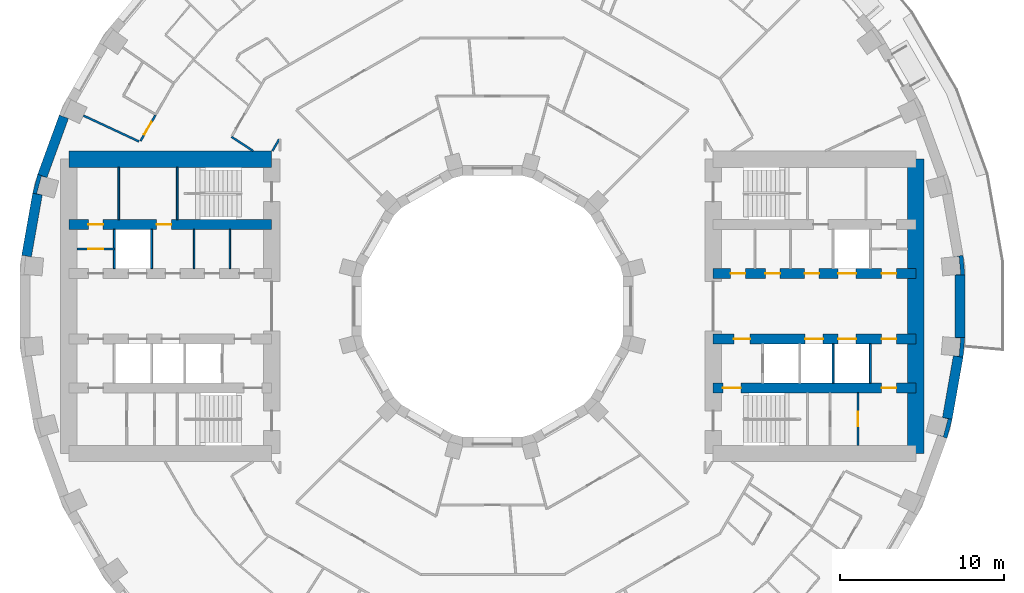
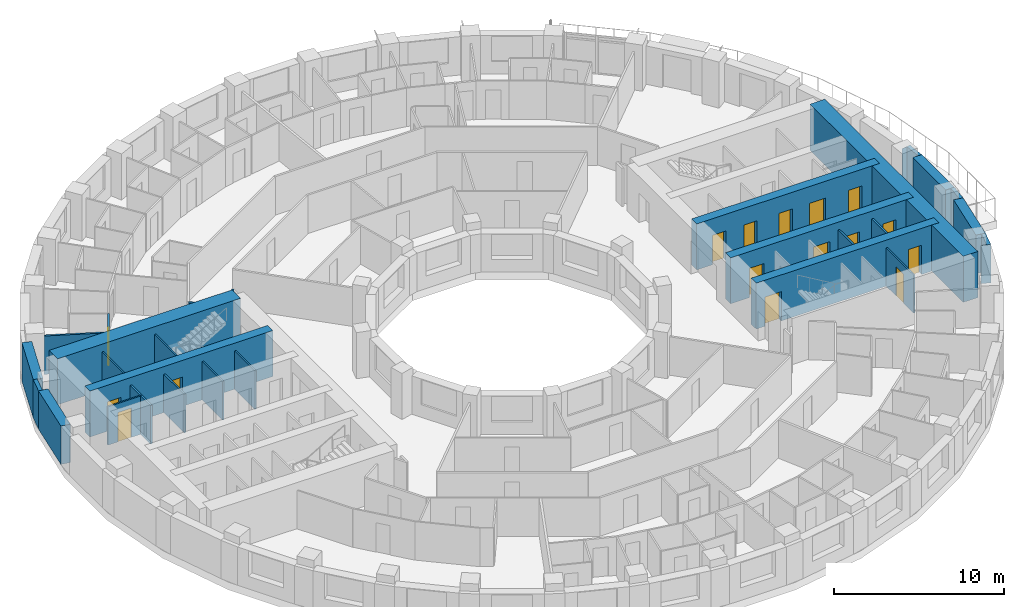
# One storey, part 9 of 15: 28 walls, 16 doors, 16 openings.
"""IFC4 building model written with IfcOpenShell, lengths in metres."""

from ifc_helpers import new_model, si_unit, direction, frame, frame_2d, origin, place, context, subcontext, project, spatial, polyline, rectangle, outline, extrude, material, layer, layer_set, type_object, element, fill, save


model = new_model("IFC4")

# Units and contexts
model_context = context("Model", 3, precision=1e-05, world=origin(), true_north=direction((0.0, 1.0)))
body_context = subcontext(model_context, "Body", "Model", "MODEL_VIEW")
ifc_project = project(units=[si_unit("LENGTHUNIT", "METRE"), si_unit("AREAUNIT", "SQUARE_METRE"), si_unit("VOLUMEUNIT", "CUBIC_METRE"), si_unit("PLANEANGLEUNIT", "RADIAN"), si_unit("MASSUNIT", "GRAM", prefix="KILO")], contexts=[model_context])

# Site, building, storey
site_placement = place(None, origin())
site = spatial("IfcSite", under=ifc_project, at=site_placement, CompositionType="ELEMENT")
building_placement = place(site_placement, origin())
building = spatial("IfcBuilding", under=site, at=building_placement, Name="Saqina Gate Tower", CompositionType="ELEMENT")
storey_placement = place(building_placement, frame((0.0, 0.0, 62.60009765625)))
storey = spatial("IfcBuildingStorey", under=building, at=storey_placement, Name="L17", CompositionType="ELEMENT", Elevation=62.60009765625)

# Walls
ifc_material_1 = material(Name="Brick masonry (red)", Category="masonry")
wall_type_1 = type_object("IfcWallType", Name="BRICK PIER COPING RED", PredefinedType="SOLIDWALL", material=ifc_material_1)
wall_1_placement = place(storey_placement, origin())
element("IfcWall", 1, at=wall_1_placement, inside=storey, type_object=wall_type_1, Name="Pier cap L17 column 1", PredefinedType="SOLIDWALL", context=body_context, shape_type="SweptSolid", body=[
    extrude(outline(polyline([(28.8896484375, 1.9228515625), (28.78466796875, 3.122802734375), (28.19384765625, 3.018798828125), (28.54296875, 3.04931640625), (28.638671875, 1.95361328125), (28.28955078125, 1.9228515625), (28.8896484375, 1.9228515625)])), origin(), (0.0, 0.0, 1.0), 2.75),
])
wall_2_placement = place(storey_placement, origin())
element("IfcWall", 2, at=wall_2_placement, inside=storey, type_object=wall_type_1, Name="Pier cap L17 column 17", PredefinedType="SOLIDWALL", context=body_context, shape_type="SweptSolid", body=[
    extrude(outline(polyline([(-28.11669921875, 6.910400390625), (-27.52587890625, 6.80615234375), (-27.864501953125, 6.896728515625), (-27.57958984375, 7.95947265625), (-27.2412109375, 7.86865234375), (-27.80517578125, 8.073974609375), (-28.11669921875, 6.910400390625)])), origin(), (0.0, 0.0, 1.0), 2.75),
])
wall_3_placement = place(storey_placement, origin())
element("IfcWall", 3, at=wall_3_placement, inside=storey, type_object=wall_type_1, Name="Pier cap L17 column 35", PredefinedType="SOLIDWALL", context=body_context, shape_type="SweptSolid", body=[
    extrude(outline(polyline([(28.11669921875, -6.910400390625), (27.52587890625, -6.80615234375), (27.864501953125, -6.896728515625), (27.57958984375, -7.95947265625), (27.2412109375, -7.86865234375), (27.80517578125, -8.073974609375), (28.11669921875, -6.910400390625)])), origin(), (0.0, 0.0, 1.0), 2.75),
])
wall_4_placement = place(storey_placement, origin())
element("IfcWall", 4, at=wall_4_placement, inside=storey, type_object=wall_type_1, Name="Pier cap L17 column 36", PredefinedType="SOLIDWALL", context=body_context, shape_type="SweptSolid", body=[
    extrude(outline(polyline([(28.78466796875, -3.122802734375), (28.8896484375, -1.9228515625), (28.28955078125, -1.9228515625), (28.638671875, -1.95361328125), (28.54296875, -3.04931640625), (28.19384765625, -3.018798828125), (28.78466796875, -3.122802734375)])), origin(), (0.0, 0.0, 1.0), 2.75),
])

# Wall, opening, door
ifc_material_2 = material(Name="Gypsum board on steel studs", Category="steel")
ifc_layer_1 = layer(ifc_material_2, 0.10009765625)
ifc_layer_set_1 = layer_set([ifc_layer_1], Name="CORE PARTITION")
wall_type_2 = type_object("IfcWallType", Name="CORE PARTITION", PredefinedType="PARTITIONING", material=ifc_layer_set_1)
wall_5_placement = place(storey_placement, frame((22.360107421875, -8.5, 0.0), z_axis=(0.0, 0.0, 1.0), x_axis=(0.0, 1.0, 0.0)))
wall_5 = element("IfcWall", 5, at=wall_5_placement, inside=storey, type_object=wall_type_2, Name="L17-CP-E14", PredefinedType="PARTITIONING", context=body_context, shape_type="SweptSolid", body=[
    extrude(rectangle(XDim=3.199951171875, YDim=0.10009765625, at=frame_2d((1.60009765625, 0.0))), origin(), (0.0, 0.0, 1.0), 2.75),
])
opening_1_placement = place(wall_5_placement, frame((1.14990234375, 0.0, 0.0)))
opening_1 = element("IfcOpeningElement", 6, at=opening_1_placement, cuts=wall_5, Name="Opening G04-D99", PredefinedType="OPENING", context=body_context, shape_type="SweptSolid", body=[
    extrude(rectangle(XDim=0.89990234375, YDim=2.10009765625, at=frame_2d((0.449951171875, 1.050048828125))), frame((0.0, 0.06201171875, 0.0), z_axis=(0.0, -1.0, 0.0), x_axis=(1.0, 0.0, 0.0)), (0.0, 0.0, 1.0), 0.1240234375),
])
ifc_material_3 = material(Name="Steel-framed fire door leaf, EI 60", Category="steel")
door_type_1 = type_object("IfcDoorType", Name="SERVICE ROOM DOOR 900", OperationType="SINGLE_SWING_LEFT", PredefinedType="DOOR", material=ifc_material_3)
door_1_placement = place(opening_1_placement, frame((0.89990234375, 0.0, 0.0), z_axis=(0.0, 0.0, 1.0), x_axis=(-1.0, 0.0, 0.0)))
door_1 = element("IfcDoor", 7, at=door_1_placement, inside=storey, type_object=door_type_1, Name="L17-CD-E10", OperationType="SINGLE_SWING_RIGHT", OverallHeight=2.10009765625, OverallWidth=0.89990234375, PredefinedType="DOOR", context=body_context, shape_type="SweptSolid", body=[
    extrude(rectangle(XDim=0.89990234375, YDim=2.10009765625, at=frame_2d((0.449951171875, 1.050048828125))), frame((0.0, 0.02490234375, 0.0), z_axis=(0.0, -1.0, 0.0), x_axis=(1.0, 0.0, 0.0)), (0.0, 0.0, 1.0), 0.050048828125),
])
fill(opening_1, door_1)

# Walls
for number, where, z_axis, x_axis, name in (
    (8, (-16.052001953125, 2.300048828125, 0.0), (0.0, 0.0, 1.0), (0.0, 1.0, 0.0), "L17-CP-W01"),
    (9, (-18.24072265625, 2.300048828125, 0.0), (0.0, 0.0, 1.0), (0.0, 1.0, 0.0), "L17-CP-W02"),
):
    element("IfcWall", number, at=place(storey_placement, frame(where, z_axis=z_axis, x_axis=x_axis)), inside=storey, type_object=wall_type_2, Name=name, PredefinedType="PARTITIONING", context=body_context, shape_type="SweptSolid", body=[
        extrude(rectangle(XDim=2.39990234375, YDim=0.10009765625, at=frame_2d((1.199951171875, 0.0))), origin(), (0.0, 0.0, 1.0), 2.75),
    ])

# Wall, opening, door
wall_6_placement = place(storey_placement, frame((-23.1201171875, 3.5, 0.0), z_axis=(0.0, 0.0, 1.0), x_axis=(-1.0, 0.0, 0.0)))
wall_6 = element("IfcWall", 10, at=wall_6_placement, inside=storey, type_object=wall_type_2, Name="L17-CP-W09", PredefinedType="PARTITIONING", context=body_context, shape_type="SweptSolid", body=[
    extrude(rectangle(XDim=2.27978515625, YDim=0.10009765625, at=frame_2d((1.139892578125, 0.0))), origin(), (0.0, 0.0, 1.0), 2.75),
])
opening_2_placement = place(wall_6_placement, frame((0.68994140625, 0.0, 0.0)))
opening_2 = element("IfcOpeningElement", 11, at=opening_2_placement, cuts=wall_6, Name="Opening G04-D112", PredefinedType="OPENING", context=body_context, shape_type="SweptSolid", body=[
    extrude(rectangle(XDim=0.89990234375, YDim=2.10009765625, at=frame_2d((0.449951171875, 1.050048828125))), frame((0.0, 0.06201171875, 0.0), z_axis=(0.0, -1.0, 0.0), x_axis=(1.0, 0.0, 0.0)), (0.0, 0.0, 1.0), 0.1240234375),
])
door_2_placement = place(opening_2_placement, frame((0.89990234375, 0.0, 0.0), z_axis=(0.0, 0.0, 1.0), x_axis=(-1.0, 0.0, 0.0)))
door_2 = element("IfcDoor", 12, at=door_2_placement, inside=storey, type_object=door_type_1, Name="L17-CD-W23", OperationType="SINGLE_SWING_LEFT", OverallHeight=2.10009765625, OverallWidth=0.89990234375, PredefinedType="DOOR", context=body_context, shape_type="SweptSolid", body=[
    extrude(rectangle(XDim=0.89990234375, YDim=2.10009765625, at=frame_2d((0.449951171875, 1.050048828125))), frame((0.0, 0.02490234375, 0.0), z_axis=(0.0, -1.0, 0.0), x_axis=(1.0, 0.0, 0.0)), (0.0, 0.0, 1.0), 0.050048828125),
])
fill(opening_2, door_2)

# Walls
wall_7_placement = place(storey_placement, frame((-22.846435546875, 5.300048828125, 0.0), z_axis=(0.0, 0.0, 1.0), x_axis=(0.0, 1.0, 0.0)))
element("IfcWall", 13, at=wall_7_placement, inside=storey, type_object=wall_type_2, Name="L17-CP-W11", PredefinedType="PARTITIONING", context=body_context, shape_type="SweptSolid", body=[
    extrude(rectangle(XDim=3.199951171875, YDim=0.10009765625, at=frame_2d((1.60009765625, 0.0))), origin(), (0.0, 0.0, 1.0), 2.75),
])
ifc_material_4 = material(Name="Glazed ceramic tile", Category="ceramic")
ifc_layer_2 = layer(ifc_material_4, 0.60009765625)
ifc_layer_set_2 = layer_set([ifc_layer_2], Name="FW-TILE")
wall_type_3 = type_object("IfcWallType", Name="FW-TILE", PredefinedType="SOLIDWALL", material=ifc_layer_set_2)
wall_8_placement = place(storey_placement, frame((-26.207763671875, 11.585205078125, 0.0), z_axis=(0.0, 0.0, 1.0), x_axis=(-0.342028474173, -0.939689588564, 0.0)))
element("IfcWall", 14, at=wall_8_placement, inside=storey, type_object=wall_type_3, Name="Facade wall L17 facet 16", PredefinedType="SOLIDWALL", context=body_context, shape_type="SweptSolid", body=[
    extrude(rectangle(XDim=3.845947265625, YDim=0.60009765625, at=frame_2d((1.9228515625, 0.0))), origin(), (0.0, 0.0, 1.0), 2.75),
])
wall_9_placement = place(storey_placement, frame((28.589599609375, -1.9228515625, 0.0), z_axis=(0.0, 0.0, 1.0), x_axis=(0.0, 1.0, 0.0)))
element("IfcWall", 15, at=wall_9_placement, inside=storey, type_object=wall_type_3, Name="Facade wall L17 facet 36", PredefinedType="SOLIDWALL", context=body_context, shape_type="SweptSolid", body=[
    extrude(rectangle(XDim=3.845703125, YDim=0.60009765625, at=frame_2d((1.9228515625, 0.0))), origin(), (0.0, 0.0, 1.0), 2.75),
])
ifc_material_5 = material(Name="Glazed ceramic tile (dark blue)", Category="ceramic")
ifc_layer_3 = layer(ifc_material_5, 0.60009765625)
ifc_layer_set_3 = layer_set([ifc_layer_3], Name="FW-TILE-CB")
wall_type_4 = type_object("IfcWallType", Name="FW-TILE-CB", PredefinedType="SOLIDWALL", material=ifc_layer_set_3)
wall_10_placement = place(storey_placement, frame((-27.8212890625, 6.858154296875, 0.0), z_axis=(0.0, 0.0, 1.0), x_axis=(-0.173687553279, -0.984800809218, 0.0)))
element("IfcWall", 16, at=wall_10_placement, inside=storey, type_object=wall_type_4, Name="Facade wall L17 facet 17", PredefinedType="SOLIDWALL", context=body_context, shape_type="SweptSolid", body=[
    extrude(rectangle(XDim=3.845703125, YDim=0.60009765625, at=frame_2d((1.9228515625, 0.0))), origin(), (0.0, 0.0, 1.0), 2.75),
])
ifc_material_6 = material(Name="Glazed ceramic tile (white)", Category="ceramic")
ifc_layer_4 = layer(ifc_material_6, 0.60009765625)
ifc_layer_set_4 = layer_set([ifc_layer_4], Name="FW-TILE-WH")
wall_type_5 = type_object("IfcWallType", Name="FW-TILE-WH", PredefinedType="SOLIDWALL", material=ifc_layer_set_4)
wall_11_placement = place(storey_placement, frame((27.8212890625, -6.858154296875, 0.0), z_axis=(0.0, 0.0, 1.0), x_axis=(0.173687553279, 0.984800809218, 0.0)))
element("IfcWall", 17, at=wall_11_placement, inside=storey, type_object=wall_type_5, Name="Facade wall L17 facet 35", PredefinedType="SOLIDWALL", context=body_context, shape_type="SweptSolid", body=[
    extrude(rectangle(XDim=3.845703125, YDim=0.60009765625, at=frame_2d((1.9228515625, 0.0))), origin(), (0.0, 0.0, 1.0), 2.75),
])
ifc_material_7 = material(Name="Gypsum board on steel studs, 125 mm, fire rated", Category="steel")
ifc_layer_5 = layer(ifc_material_7, 0.125)
ifc_layer_set_5 = layer_set([ifc_layer_5], Name="PARTITION EI 30 125")
wall_type_6 = type_object("IfcWallType", Name="PARTITION EI 30 125", PredefinedType="PARTITIONING", material=ifc_layer_set_5)
wall_12_placement = place(storey_placement, frame((-15.95703125, 10.362060546875, 0.0), z_axis=(0.0, 0.0, 1.0), x_axis=(0.838795721465, -0.544446267002, 0.0)))
element("IfcWall", 18, at=wall_12_placement, inside=storey, type_object=wall_type_6, Name="PARTITION PW1-08", PredefinedType="PARTITIONING", context=body_context, shape_type="SweptSolid", body=[
    extrude(rectangle(XDim=1.583251953125, YDim=0.125, at=frame_2d((0.79150390625, 0.0))), origin(), (0.0, 0.0, 1.0), 2.75),
])
wall_13_placement = place(storey_placement, frame((-25.005126953125, 11.659912109375, 0.0), z_axis=(0.0, 0.0, 1.0), x_axis=(0.906339528383, -0.42255018553, 0.0)))
element("IfcWall", 19, at=wall_13_placement, inside=storey, type_object=wall_type_6, Name="PARTITION PW1-15", PredefinedType="PARTITIONING", context=body_context, shape_type="SweptSolid", body=[
    extrude(rectangle(XDim=3.74755859375, YDim=0.125, at=frame_2d((1.873779296875, 0.0))), origin(), (0.0, 0.0, 1.0), 2.75),
])
wall_14_placement = place(storey_placement, frame((-13.451904296875, 9.5, 0.0), z_axis=(0.0, 0.0, 1.0), x_axis=(0.49991670217, 0.866073490468, 0.0)))
element("IfcWall", 20, at=wall_14_placement, inside=storey, type_object=wall_type_6, Name="PARTITION PW1-49", PredefinedType="PARTITIONING", context=body_context, shape_type="SweptSolid", body=[
    extrude(rectangle(XDim=0.834228515625, YDim=0.125, at=frame_2d((0.4169921875, 0.0))), origin(), (0.0, 0.0, 1.0), 2.75),
])

# Wall, opening, door
wall_15_placement = place(storey_placement, frame((-21.520751953125, 10.10400390625, 0.0), z_axis=(0.0, 0.0, 1.0), x_axis=(0.500003827654, 0.866023193876, 0.0)))
wall_15 = element("IfcWall", 21, at=wall_15_placement, inside=storey, type_object=wall_type_6, Name="PARTITION PW1-51", PredefinedType="PARTITIONING", context=body_context, shape_type="SweptSolid", body=[
    extrude(rectangle(XDim=1.82763671875, YDim=0.125, at=frame_2d((0.913818359375, 0.0))), origin(), (0.0, 0.0, 1.0), 2.75),
])
opening_3_placement = place(wall_15_placement, frame((0.45849609375, 0.0, 0.0)))
opening_3 = element("IfcOpeningElement", 22, at=opening_3_placement, cuts=wall_15, Name="Opening G04-D36", PredefinedType="OPENING", context=body_context, shape_type="SweptSolid", body=[
    extrude(rectangle(XDim=0.89990234375, YDim=2.10009765625, at=frame_2d((0.449951171875, 1.050048828125))), frame((0.0, 0.074462890625, 0.0), z_axis=(0.0, -1.0, 0.0), x_axis=(1.0, 0.0, 0.0)), (0.0, 0.0, 1.0), 0.14892578125),
])
ifc_material_8 = material(Name="Fire door leaf EI 30, 900 mm")
door_type_2 = type_object("IfcDoorType", Name="DOOR 900 EI 30", OperationType="SINGLE_SWING_LEFT", PredefinedType="DOOR", material=ifc_material_8)
door_3_placement = place(opening_3_placement, frame((0.89990234375, 0.0, 0.0), z_axis=(0.0, 0.0, 1.0), x_axis=(-1.0, 0.0, 0.0)))
door_3 = element("IfcDoor", 23, at=door_3_placement, inside=storey, type_object=door_type_2, Name="DOOR G04-D36", OperationType="SINGLE_SWING_RIGHT", OverallHeight=2.10009765625, OverallWidth=0.89990234375, PredefinedType="DOOR", context=body_context, shape_type="SweptSolid", body=[
    extrude(rectangle(XDim=0.89990234375, YDim=2.10009765625, at=frame_2d((0.449951171875, 1.050048828125))), frame((0.0, 0.02490234375, 0.0), z_axis=(0.0, -1.0, 0.0), x_axis=(1.0, 0.0, 0.0)), (0.0, 0.0, 1.0), 0.050048828125),
])
fill(opening_3, door_3)

# Walls
ifc_material_9 = material(Name="Autoclaved aerated concrete block", Category="concrete")
ifc_layer_6 = layer(ifc_material_9, 0.1201171875)
ifc_layer_set_6 = layer_set([ifc_layer_6], Name="SHAFT PARTITION")
wall_type_7 = type_object("IfcWallType", Name="SHAFT PARTITION", PredefinedType="PARTITIONING", material=ifc_layer_set_6)
for number, where, z_axis, x_axis, name in (
    (24, (20.840087890625, -4.699951171875, 0.0), (0.0, 0.0, 1.0), (0.0, 1.0, 0.0), "L17-CP-E07"),
    (25, (23.1201171875, -4.699951171875, 0.0), (0.0, 0.0, 1.0), (0.0, 1.0, 0.0), "L17-CP-E08"),
    (26, (-20.840087890625, 2.300048828125, 0.0), (0.0, 0.0, 1.0), (0.0, 1.0, 0.0), "L17-CP-W03"),
    (27, (-23.1201171875, 2.300048828125, 0.0), (0.0, 0.0, 1.0), (0.0, 1.0, 0.0), "L17-CP-W04"),
):
    element("IfcWall", number, at=place(storey_placement, frame(where, z_axis=z_axis, x_axis=x_axis)), inside=storey, type_object=wall_type_7, Name=name, PredefinedType="PARTITIONING", context=body_context, shape_type="SweptSolid", body=[
        extrude(rectangle(XDim=2.39990234375, YDim=0.1201171875, at=frame_2d((1.199951171875, 0.0))), origin(), (0.0, 0.0, 1.0), 2.75),
    ])
ifc_material_10 = material(Name="Autoclaved aerated concrete block", Category="concrete")
ifc_layer_7 = layer(ifc_material_10, 0.10009765625)
ifc_layer_set_7 = layer_set([ifc_layer_7], Name="STAIR ENCLOSURE WALL")
wall_type_8 = type_object("IfcWallType", Name="STAIR ENCLOSURE WALL", PredefinedType="PARTITIONING", material=ifc_layer_set_7)
wall_16_placement = place(storey_placement, frame((-19.27001953125, 5.300048828125, 0.0), z_axis=(0.0, 0.0, 1.0), x_axis=(0.0, 1.0, 0.0)))
element("IfcWall", 28, at=wall_16_placement, inside=storey, type_object=wall_type_8, Name="L17-CP-W10", PredefinedType="PARTITIONING", context=body_context, shape_type="SweptSolid", body=[
    extrude(rectangle(XDim=3.199951171875, YDim=0.10009765625, at=frame_2d((1.60009765625, 0.0))), origin(), (0.0, 0.0, 1.0), 2.75),
])

# Wall, openings, doors
ifc_material_11 = material(Name="Concrete C70/85", Category="concrete")
ifc_layer_8 = layer(ifc_material_11, 0.60009765625)
ifc_layer_set_8 = layer_set([ifc_layer_8], Name="Concrete C70/85")
wall_type_9 = type_object("IfcWallType", Name="STR-CORE WALL-A-I", PredefinedType="SHEAR", material=ifc_layer_set_8)
wall_17_placement = place(storey_placement, frame((13.5, -5.0, 0.0), z_axis=(0.0, 0.0, 1.0), x_axis=(1.0, 0.0, 0.0)))
wall_17 = element("IfcWall", 29, at=wall_17_placement, inside=storey, type_object=wall_type_9, Name="CORE WALL L17 E-X2", PredefinedType="SHEAR", context=body_context, shape_type="SweptSolid", body=[
    extrude(rectangle(XDim=12.39990234375, YDim=0.60009765625, at=frame_2d((6.199951171875, 0.0))), origin(), (0.0, 0.0, 1.0), 3.2998046875),
])
opening_4_placement = place(wall_17_placement, frame((10.31005859375, 0.0, 0.0)))
opening_4 = element("IfcOpeningElement", 30, at=opening_4_placement, cuts=wall_17, Name="Opening G04-D101", PredefinedType="OPENING", context=body_context, shape_type="SweptSolid", body=[
    extrude(rectangle(XDim=0.89990234375, YDim=2.10009765625, at=frame_2d((0.449951171875, 1.050048828125))), frame((0.0, 0.31201171875, 0.0), z_axis=(0.0, -1.0, 0.0), x_axis=(1.0, 0.0, 0.0)), (0.0, 0.0, 1.0), 0.6240234375),
])
opening_5_placement = place(wall_17_placement, frame((0.60009765625, 0.0, 0.0)))
opening_5 = element("IfcOpeningElement", 31, at=opening_5_placement, cuts=wall_17, Name="Opening G04-D102", PredefinedType="OPENING", context=body_context, shape_type="SweptSolid", body=[
    extrude(rectangle(XDim=1.10009765625, YDim=2.10009765625, at=frame_2d((0.550048828125, 1.050048828125))), frame((0.0, 0.31201171875, 0.0), z_axis=(0.0, -1.0, 0.0), x_axis=(1.0, 0.0, 0.0)), (0.0, 0.0, 1.0), 0.6240234375),
])
ifc_material_12 = material(Name="Steel", Category="steel")
door_type_3 = type_object("IfcDoorType", Name="FIRE LOBBY DOOR EI 60 WIDE", OperationType="SINGLE_SWING_LEFT", PredefinedType="DOOR", material=ifc_material_12)
door_4_placement = place(opening_5_placement, frame((1.10009765625, 0.0, 0.0), z_axis=(0.0, 0.0, 1.0), x_axis=(-1.0, 0.0, 0.0)))
door_4 = element("IfcDoor", 32, at=door_4_placement, inside=storey, type_object=door_type_3, Name="L17-CD-E13", OperationType="SINGLE_SWING_RIGHT", OverallHeight=2.10009765625, OverallWidth=1.10009765625, PredefinedType="DOOR", context=body_context, shape_type="SweptSolid", body=[
    extrude(rectangle(XDim=1.10009765625, YDim=2.10009765625, at=frame_2d((0.550048828125, 1.050048828125))), frame((0.0, 0.02490234375, 0.0), z_axis=(0.0, -1.0, 0.0), x_axis=(1.0, 0.0, 0.0)), (0.0, 0.0, 1.0), 0.050048828125),
])
fill(opening_5, door_4)
door_5_placement = place(opening_4_placement, frame((0.89990234375, 0.0, 0.0), z_axis=(0.0, 0.0, 1.0), x_axis=(-1.0, 0.0, 0.0)))
door_5 = element("IfcDoor", 33, at=door_5_placement, inside=storey, type_object=door_type_1, Name="L17-CD-E12", OperationType="SINGLE_SWING_LEFT", OverallHeight=2.10009765625, OverallWidth=0.89990234375, PredefinedType="DOOR", context=body_context, shape_type="SweptSolid", body=[
    extrude(rectangle(XDim=0.89990234375, YDim=2.10009765625, at=frame_2d((0.449951171875, 1.050048828125))), frame((0.0, 0.02490234375, 0.0), z_axis=(0.0, -1.0, 0.0), x_axis=(1.0, 0.0, 0.0)), (0.0, 0.0, 1.0), 0.050048828125),
])
fill(opening_4, door_5)

wall_18_placement = place(storey_placement, frame((13.5, 2.0, 0.0), z_axis=(0.0, 0.0, 1.0), x_axis=(1.0, 0.0, 0.0)))
wall_18 = element("IfcWall", 34, at=wall_18_placement, inside=storey, type_object=wall_type_9, Name="CORE WALL L17 E-L1", PredefinedType="SHEAR", context=body_context, shape_type="SweptSolid", body=[
    extrude(rectangle(XDim=12.39990234375, YDim=0.60009765625, at=frame_2d((6.199951171875, 0.0))), origin(), (0.0, 0.0, 1.0), 3.2998046875),
])
opening_6_placement = place(wall_18_placement, frame((7.64990234375, 0.0, 0.0)))
opening_6 = element("IfcOpeningElement", 35, at=opening_6_placement, cuts=wall_18, Name="Opening G04-LD1", PredefinedType="OPENING", context=body_context, shape_type="SweptSolid", body=[
    extrude(rectangle(XDim=1.10009765625, YDim=2.10009765625, at=frame_2d((0.550048828125, 1.050048828125))), frame((0.0, 0.31201171875, 0.0), z_axis=(0.0, -1.0, 0.0), x_axis=(1.0, 0.0, 0.0)), (0.0, 0.0, 1.0), 0.6240234375),
])
opening_7_placement = place(wall_18_placement, frame((1.075927734375, 0.0, 0.0)))
opening_7 = element("IfcOpeningElement", 36, at=opening_7_placement, cuts=wall_18, Name="Opening G04-D90", PredefinedType="OPENING", context=body_context, shape_type="SweptSolid", body=[
    extrude(rectangle(XDim=0.89990234375, YDim=2.10009765625, at=frame_2d((0.449951171875, 1.050048828125))), frame((0.0, 0.31201171875, 0.0), z_axis=(0.0, -1.0, 0.0), x_axis=(1.0, 0.0, 0.0)), (0.0, 0.0, 1.0), 0.6240234375),
])
opening_8_placement = place(wall_18_placement, frame((3.1962890625, 0.0, 0.0)))
opening_8 = element("IfcOpeningElement", 37, at=opening_8_placement, cuts=wall_18, Name="Opening G04-D91", PredefinedType="OPENING", context=body_context, shape_type="SweptSolid", body=[
    extrude(rectangle(XDim=0.89990234375, YDim=2.10009765625, at=frame_2d((0.449951171875, 1.050048828125))), frame((0.0, 0.31201171875, 0.0), z_axis=(0.0, -1.0, 0.0), x_axis=(1.0, 0.0, 0.0)), (0.0, 0.0, 1.0), 0.6240234375),
])
opening_9_placement = place(wall_18_placement, frame((5.59033203125, 0.0, 0.0)))
opening_9 = element("IfcOpeningElement", 38, at=opening_9_placement, cuts=wall_18, Name="Opening G04-D92", PredefinedType="OPENING", context=body_context, shape_type="SweptSolid", body=[
    extrude(rectangle(XDim=0.89990234375, YDim=2.10009765625, at=frame_2d((0.449951171875, 1.050048828125))), frame((0.0, 0.31201171875, 0.0), z_axis=(0.0, -1.0, 0.0), x_axis=(1.0, 0.0, 0.0)), (0.0, 0.0, 1.0), 0.6240234375),
])
opening_10_placement = place(wall_18_placement, frame((10.31005859375, 0.0, 0.0)))
opening_10 = element("IfcOpeningElement", 39, at=opening_10_placement, cuts=wall_18, Name="Opening G04-D93", PredefinedType="OPENING", context=body_context, shape_type="SweptSolid", body=[
    extrude(rectangle(XDim=0.89990234375, YDim=2.10009765625, at=frame_2d((0.449951171875, 1.050048828125))), frame((0.0, 0.31201171875, 0.0), z_axis=(0.0, -1.0, 0.0), x_axis=(1.0, 0.0, 0.0)), (0.0, 0.0, 1.0), 0.6240234375),
])
ifc_material_13 = material(Name="Stainless steel", Category="steel")
door_type_4 = type_object("IfcDoorType", Name="LANDING DOOR", OperationType="DOUBLE_DOOR_SLIDING", PredefinedType="DOOR", material=ifc_material_13)
door_6_placement = place(opening_6_placement, origin())
door_6 = element("IfcDoor", 40, at=door_6_placement, inside=storey, type_object=door_type_4, Name="LANDING DOOR LR1", OperationType="DOUBLE_DOOR_SLIDING", OverallHeight=2.10009765625, OverallWidth=1.10009765625, PredefinedType="DOOR", context=body_context, shape_type="SweptSolid", body=[
    extrude(rectangle(XDim=1.10009765625, YDim=2.10009765625, at=frame_2d((0.550048828125, 1.050048828125))), frame((0.0, 0.02490234375, 0.0), z_axis=(0.0, -1.0, 0.0), x_axis=(1.0, 0.0, 0.0)), (0.0, 0.0, 1.0), 0.050048828125),
])
fill(opening_6, door_6)
door_7_placement = place(opening_7_placement, origin())
door_7 = element("IfcDoor", 41, at=door_7_placement, inside=storey, type_object=door_type_1, Name="L17-CD-E01", OperationType="SINGLE_SWING_RIGHT", OverallHeight=2.10009765625, OverallWidth=0.89990234375, PredefinedType="DOOR", context=body_context, shape_type="SweptSolid", body=[
    extrude(rectangle(XDim=0.89990234375, YDim=2.10009765625, at=frame_2d((0.449951171875, 1.050048828125))), frame((0.0, 0.02490234375, 0.0), z_axis=(0.0, -1.0, 0.0), x_axis=(1.0, 0.0, 0.0)), (0.0, 0.0, 1.0), 0.050048828125),
])
fill(opening_7, door_7)
door_8_placement = place(opening_8_placement, origin())
door_8 = element("IfcDoor", 42, at=door_8_placement, inside=storey, type_object=door_type_1, Name="L17-CD-E02", OperationType="SINGLE_SWING_LEFT", OverallHeight=2.10009765625, OverallWidth=0.89990234375, PredefinedType="DOOR", context=body_context, shape_type="SweptSolid", body=[
    extrude(rectangle(XDim=0.89990234375, YDim=2.10009765625, at=frame_2d((0.449951171875, 1.050048828125))), frame((0.0, 0.02490234375, 0.0), z_axis=(0.0, -1.0, 0.0), x_axis=(1.0, 0.0, 0.0)), (0.0, 0.0, 1.0), 0.050048828125),
])
fill(opening_8, door_8)
door_9_placement = place(opening_9_placement, origin())
door_9 = element("IfcDoor", 43, at=door_9_placement, inside=storey, type_object=door_type_1, Name="L17-CD-E03", OperationType="SINGLE_SWING_LEFT", OverallHeight=2.10009765625, OverallWidth=0.89990234375, PredefinedType="DOOR", context=body_context, shape_type="SweptSolid", body=[
    extrude(rectangle(XDim=0.89990234375, YDim=2.10009765625, at=frame_2d((0.449951171875, 1.050048828125))), frame((0.0, 0.02490234375, 0.0), z_axis=(0.0, -1.0, 0.0), x_axis=(1.0, 0.0, 0.0)), (0.0, 0.0, 1.0), 0.050048828125),
])
fill(opening_9, door_9)
door_10_placement = place(opening_10_placement, origin())
door_10 = element("IfcDoor", 44, at=door_10_placement, inside=storey, type_object=door_type_1, Name="L17-CD-E04", OperationType="SINGLE_SWING_RIGHT", OverallHeight=2.10009765625, OverallWidth=0.89990234375, PredefinedType="DOOR", context=body_context, shape_type="SweptSolid", body=[
    extrude(rectangle(XDim=0.89990234375, YDim=2.10009765625, at=frame_2d((0.449951171875, 1.050048828125))), frame((0.0, 0.02490234375, 0.0), z_axis=(0.0, -1.0, 0.0), x_axis=(1.0, 0.0, 0.0)), (0.0, 0.0, 1.0), 0.050048828125),
])
fill(opening_10, door_10)

wall_19_placement = place(storey_placement, frame((13.5, -2.0, 0.0), z_axis=(0.0, 0.0, 1.0), x_axis=(1.0, 0.0, 0.0)))
wall_19 = element("IfcWall", 45, at=wall_19_placement, inside=storey, type_object=wall_type_9, Name="CORE WALL L17 E-L2", PredefinedType="SHEAR", context=body_context, shape_type="SweptSolid", body=[
    extrude(rectangle(XDim=12.39990234375, YDim=0.60009765625, at=frame_2d((6.199951171875, 0.0))), origin(), (0.0, 0.0, 1.0), 3.2998046875),
])
opening_11_placement = place(wall_19_placement, frame((5.6201171875, 0.0, 0.0)))
opening_11 = element("IfcOpeningElement", 46, at=opening_11_placement, cuts=wall_19, Name="Opening G04-LD3", PredefinedType="OPENING", context=body_context, shape_type="SweptSolid", body=[
    extrude(rectangle(XDim=1.10009765625, YDim=2.10009765625, at=frame_2d((0.550048828125, 1.050048828125))), frame((0.0, 0.31201171875, 0.0), z_axis=(0.0, -1.0, 0.0), x_axis=(1.0, 0.0, 0.0)), (0.0, 0.0, 1.0), 0.6240234375),
])
opening_12_placement = place(wall_19_placement, frame((7.64990234375, 0.0, 0.0)))
opening_12 = element("IfcOpeningElement", 47, at=opening_12_placement, cuts=wall_19, Name="Opening G04-LD4", PredefinedType="OPENING", context=body_context, shape_type="SweptSolid", body=[
    extrude(rectangle(XDim=1.10009765625, YDim=2.10009765625, at=frame_2d((0.550048828125, 1.050048828125))), frame((0.0, 0.31201171875, 0.0), z_axis=(0.0, -1.0, 0.0), x_axis=(1.0, 0.0, 0.0)), (0.0, 0.0, 1.0), 0.6240234375),
])
opening_13_placement = place(wall_19_placement, frame((1.264892578125, 0.0, 0.0)))
opening_13 = element("IfcOpeningElement", 48, at=opening_13_placement, cuts=wall_19, Name="Opening G04-D94", PredefinedType="OPENING", context=body_context, shape_type="SweptSolid", body=[
    extrude(rectangle(XDim=1.0, YDim=2.10009765625, at=frame_2d((0.5, 1.050048828125))), frame((0.0, 0.31201171875, 0.0), z_axis=(0.0, -1.0, 0.0), x_axis=(1.0, 0.0, 0.0)), (0.0, 0.0, 1.0), 0.6240234375),
])
opening_14_placement = place(wall_19_placement, frame((10.31005859375, 0.0, 0.0)))
opening_14 = element("IfcOpeningElement", 49, at=opening_14_placement, cuts=wall_19, Name="Opening G04-D95", PredefinedType="OPENING", context=body_context, shape_type="SweptSolid", body=[
    extrude(rectangle(XDim=0.89990234375, YDim=2.10009765625, at=frame_2d((0.449951171875, 1.050048828125))), frame((0.0, 0.31201171875, 0.0), z_axis=(0.0, -1.0, 0.0), x_axis=(1.0, 0.0, 0.0)), (0.0, 0.0, 1.0), 0.6240234375),
])
ifc_material_14 = material(Name="Steel", Category="steel")
door_type_5 = type_object("IfcDoorType", Name="FIRE LOBBY DOOR EI 60", OperationType="SINGLE_SWING_LEFT", PredefinedType="DOOR", material=ifc_material_14)
door_11_placement = place(opening_13_placement, origin())
door_11 = element("IfcDoor", 50, at=door_11_placement, inside=storey, type_object=door_type_5, Name="L17-CD-E05", OperationType="SINGLE_SWING_LEFT", OverallHeight=2.10009765625, OverallWidth=1.0, PredefinedType="DOOR", context=body_context, shape_type="SweptSolid", body=[
    extrude(rectangle(XDim=1.0, YDim=2.10009765625, at=frame_2d((0.5, 1.050048828125))), frame((0.0, 0.02490234375, 0.0), z_axis=(0.0, -1.0, 0.0), x_axis=(1.0, 0.0, 0.0)), (0.0, 0.0, 1.0), 0.050048828125),
])
fill(opening_13, door_11)
door_12_placement = place(opening_11_placement, origin())
door_12 = element("IfcDoor", 51, at=door_12_placement, inside=storey, type_object=door_type_4, Name="LANDING DOOR LR3", OperationType="DOUBLE_DOOR_SLIDING", OverallHeight=2.10009765625, OverallWidth=1.10009765625, PredefinedType="DOOR", context=body_context, shape_type="SweptSolid", body=[
    extrude(rectangle(XDim=1.10009765625, YDim=2.10009765625, at=frame_2d((0.550048828125, 1.050048828125))), frame((0.0, 0.02490234375, 0.0), z_axis=(0.0, -1.0, 0.0), x_axis=(1.0, 0.0, 0.0)), (0.0, 0.0, 1.0), 0.050048828125),
])
fill(opening_11, door_12)
door_13_placement = place(opening_12_placement, origin())
door_13 = element("IfcDoor", 52, at=door_13_placement, inside=storey, type_object=door_type_4, Name="LANDING DOOR LR2", OperationType="DOUBLE_DOOR_SLIDING", OverallHeight=2.10009765625, OverallWidth=1.10009765625, PredefinedType="DOOR", context=body_context, shape_type="SweptSolid", body=[
    extrude(rectangle(XDim=1.10009765625, YDim=2.10009765625, at=frame_2d((0.550048828125, 1.050048828125))), frame((0.0, 0.02490234375, 0.0), z_axis=(0.0, -1.0, 0.0), x_axis=(1.0, 0.0, 0.0)), (0.0, 0.0, 1.0), 0.050048828125),
])
fill(opening_12, door_13)
door_14_placement = place(opening_14_placement, frame((0.89990234375, 0.0, 0.0), z_axis=(0.0, 0.0, 1.0), x_axis=(-1.0, 0.0, 0.0)))
door_14 = element("IfcDoor", 53, at=door_14_placement, inside=storey, type_object=door_type_1, Name="L17-CD-E06", OperationType="SINGLE_SWING_LEFT", OverallHeight=2.10009765625, OverallWidth=0.89990234375, PredefinedType="DOOR", context=body_context, shape_type="SweptSolid", body=[
    extrude(rectangle(XDim=0.89990234375, YDim=2.10009765625, at=frame_2d((0.449951171875, 1.050048828125))), frame((0.0, 0.02490234375, 0.0), z_axis=(0.0, -1.0, 0.0), x_axis=(1.0, 0.0, 0.0)), (0.0, 0.0, 1.0), 0.050048828125),
])
fill(opening_14, door_14)

wall_20_placement = place(storey_placement, frame((-13.5, 5.0, 0.0), z_axis=(0.0, 0.0, 1.0), x_axis=(-1.0, 0.0, 0.0)))
wall_20 = element("IfcWall", 54, at=wall_20_placement, inside=storey, type_object=wall_type_9, Name="CORE WALL L17 W-X1", PredefinedType="SHEAR", context=body_context, shape_type="SweptSolid", body=[
    extrude(rectangle(XDim=12.39990234375, YDim=0.60009765625, at=frame_2d((6.199951171875, 0.0))), origin(), (0.0, 0.0, 1.0), 3.2998046875),
])
opening_15_placement = place(wall_20_placement, frame((6.1298828125, 0.0, 0.0)))
opening_15 = element("IfcOpeningElement", 55, at=opening_15_placement, cuts=wall_20, Name="Opening G04-D113", PredefinedType="OPENING", context=body_context, shape_type="SweptSolid", body=[
    extrude(rectangle(XDim=0.89990234375, YDim=2.10009765625, at=frame_2d((0.449951171875, 1.050048828125))), frame((0.0, 0.31201171875, 0.0), z_axis=(0.0, -1.0, 0.0), x_axis=(1.0, 0.0, 0.0)), (0.0, 0.0, 1.0), 0.6240234375),
])
opening_16_placement = place(wall_20_placement, frame((10.31005859375, 0.0, 0.0)))
opening_16 = element("IfcOpeningElement", 56, at=opening_16_placement, cuts=wall_20, Name="Opening G04-D114", PredefinedType="OPENING", context=body_context, shape_type="SweptSolid", body=[
    extrude(rectangle(XDim=0.89990234375, YDim=2.10009765625, at=frame_2d((0.449951171875, 1.050048828125))), frame((0.0, 0.31201171875, 0.0), z_axis=(0.0, -1.0, 0.0), x_axis=(1.0, 0.0, 0.0)), (0.0, 0.0, 1.0), 0.6240234375),
])
door_15_placement = place(opening_15_placement, frame((0.89990234375, 0.0, 0.0), z_axis=(0.0, 0.0, 1.0), x_axis=(-1.0, 0.0, 0.0)))
door_15 = element("IfcDoor", 57, at=door_15_placement, inside=storey, type_object=door_type_1, Name="L17-CD-W24", OperationType="SINGLE_SWING_RIGHT", OverallHeight=2.10009765625, OverallWidth=0.89990234375, PredefinedType="DOOR", context=body_context, shape_type="SweptSolid", body=[
    extrude(rectangle(XDim=0.89990234375, YDim=2.10009765625, at=frame_2d((0.449951171875, 1.050048828125))), frame((0.0, 0.02490234375, 0.0), z_axis=(0.0, -1.0, 0.0), x_axis=(1.0, 0.0, 0.0)), (0.0, 0.0, 1.0), 0.050048828125),
])
fill(opening_15, door_15)
door_16_placement = place(opening_16_placement, frame((0.89990234375, 0.0, 0.0), z_axis=(0.0, 0.0, 1.0), x_axis=(-1.0, 0.0, 0.0)))
door_16 = element("IfcDoor", 58, at=door_16_placement, inside=storey, type_object=door_type_1, Name="L17-CD-W25", OperationType="SINGLE_SWING_LEFT", OverallHeight=2.10009765625, OverallWidth=0.89990234375, PredefinedType="DOOR", context=body_context, shape_type="SweptSolid", body=[
    extrude(rectangle(XDim=0.89990234375, YDim=2.10009765625, at=frame_2d((0.449951171875, 1.050048828125))), frame((0.0, 0.02490234375, 0.0), z_axis=(0.0, -1.0, 0.0), x_axis=(1.0, 0.0, 0.0)), (0.0, 0.0, 1.0), 0.050048828125),
])
fill(opening_16, door_16)

# Walls
ifc_material_15 = material(Name="Concrete C70/85", Category="concrete")
ifc_layer_9 = layer(ifc_material_15, 1.0)
ifc_layer_set_9 = layer_set([ifc_layer_9], Name="Concrete C70/85")
wall_type_10 = type_object("IfcWallType", Name="STR-CORE WALL-A-O", PredefinedType="SHEAR", material=ifc_layer_set_9)
wall_21_placement = place(storey_placement, frame((25.89990234375, -9.0, 0.0), z_axis=(0.0, 0.0, 1.0), x_axis=(0.0, 1.0, 0.0)))
element("IfcWall", 59, at=wall_21_placement, inside=storey, type_object=wall_type_10, Name="CORE WALL L17 E-W2", PredefinedType="SHEAR", context=body_context, shape_type="SweptSolid", body=[
    extrude(rectangle(XDim=18.0, YDim=1.0, at=frame_2d((9.0, 0.0))), origin(), (0.0, 0.0, 1.0), 3.2998046875),
])
wall_22_placement = place(storey_placement, frame((-13.5, 9.0, 0.0), z_axis=(0.0, 0.0, 1.0), x_axis=(-1.0, 0.0, 0.0)))
element("IfcWall", 60, at=wall_22_placement, inside=storey, type_object=wall_type_10, Name="CORE WALL L17 W-NE", PredefinedType="SHEAR", context=body_context, shape_type="SweptSolid", body=[
    extrude(rectangle(XDim=12.39990234375, YDim=1.0, at=frame_2d((6.199951171875, 0.0))), origin(), (0.0, 0.0, 1.0), 3.2998046875),
])

save(model, "model.ifc")
